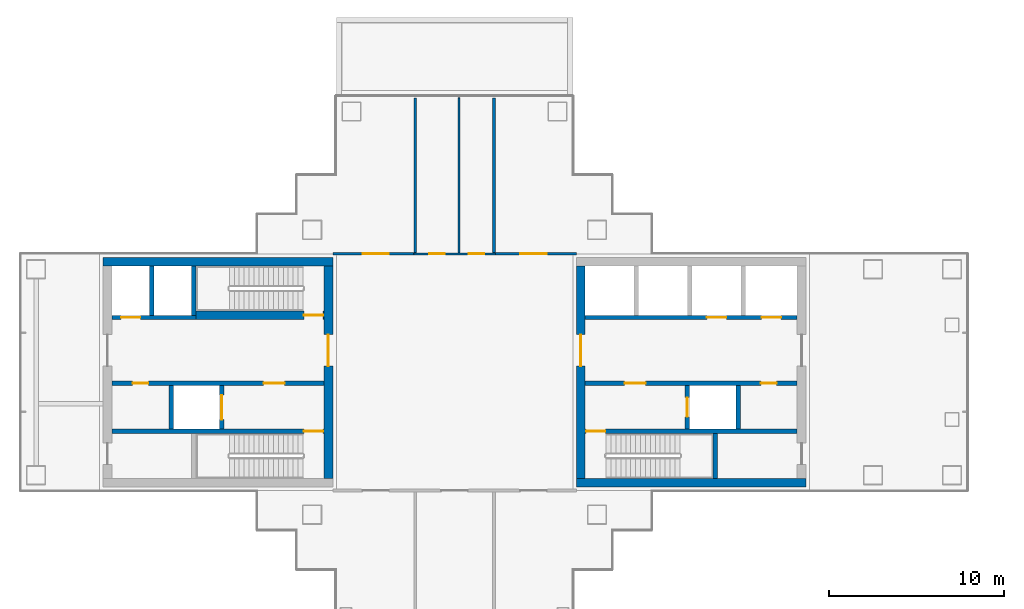
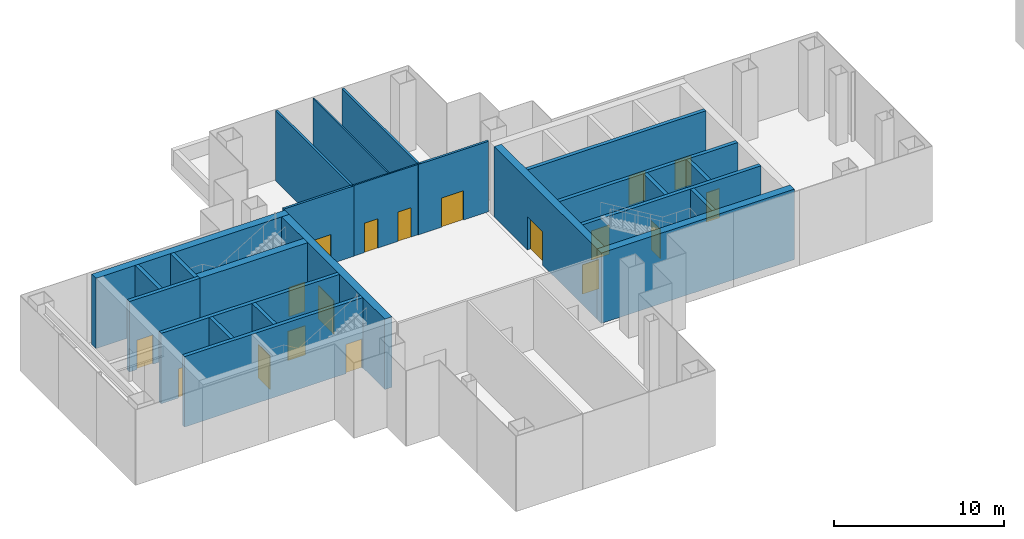
# One storey, part 9 of 15: 24 walls, 18 doors, 18 openings.
"""IFC4 building model written with IfcOpenShell, lengths in metres."""

from ifc_helpers import new_model, si_unit, direction, frame, frame_2d, origin, place, context, subcontext, project, spatial, rectangle, extrude, material, layer, layer_set, type_object, element, fill, save


model = new_model("IFC4")

# Units and contexts
model_context = context("Model", 3, precision=1e-05, world=origin(), true_north=direction((0.0, 1.0)))
body_context = subcontext(model_context, "Body", "Model", "MODEL_VIEW")
ifc_project = project(units=[si_unit("LENGTHUNIT", "METRE"), si_unit("AREAUNIT", "SQUARE_METRE"), si_unit("VOLUMEUNIT", "CUBIC_METRE"), si_unit("PLANEANGLEUNIT", "RADIAN"), si_unit("MASSUNIT", "GRAM", prefix="KILO")], contexts=[model_context])

# Site, building, storey
site_placement = place(None, origin())
site = spatial("IfcSite", under=ifc_project, at=site_placement, CompositionType="ELEMENT")
building_placement = place(site_placement, origin())
building = spatial("IfcBuilding", under=site, at=building_placement, Name="Shamsa Quay Exchange Towers", CompositionType="ELEMENT")
storey_placement = place(building_placement, frame((0.0, 0.0, 133.5)))
storey = spatial("IfcBuildingStorey", under=building, at=storey_placement, Name="L31", CompositionType="ELEMENT", Elevation=133.5)

# Wall
ifc_material_1 = material(Name="Concrete C60/75", Category="concrete")
ifc_layer_1 = layer(ifc_material_1, 0.5)
ifc_layer_set_1 = layer_set([ifc_layer_1], Name="CORE WALL 500 C60/75")
wall_type_1 = type_object("IfcWallType", Name="CORE WALL 500 C60/75", PredefinedType="SHEAR", material=ifc_layer_set_1)
wall_1_placement = place(storey_placement, frame((-26.800048828125, -6.300048828125, 0.0)))
element("IfcWall", 1, at=wall_1_placement, inside=storey, type_object=wall_type_1, Name="Core wall T1A-L31-PS", PredefinedType="SHEAR", context=body_context, shape_type="SweptSolid", body=[
    extrude(rectangle(XDim=13.10009765625, YDim=0.5, at=frame_2d((6.550048828125, 0.0))), origin(), (0.0, 0.0, 1.0), 5.050048828125),
])

# Wall, opening, door
wall_2_placement = place(storey_placement, frame((-26.550048828125, 6.050048828125, 0.0), z_axis=(0.0, 0.0, 1.0), x_axis=(0.0, -1.0, 0.0)))
wall_2 = element("IfcWall", 2, at=wall_2_placement, inside=storey, type_object=wall_type_1, Name="Core wall T1A-L31-PF", PredefinedType="SHEAR", context=body_context, shape_type="SweptSolid", body=[
    extrude(rectangle(XDim=12.10009765625, YDim=0.5, at=frame_2d((6.050048828125, 0.0))), origin(), (0.0, 0.0, 1.0), 5.050048828125),
])
opening_1_placement = place(wall_2_placement, frame((3.89990234375, 0.0, 0.0)))
opening_1 = element("IfcOpeningElement", 3, at=opening_1_placement, cuts=wall_2, Name="Opening T1A-L31-LBD01", PredefinedType="OPENING", context=body_context, shape_type="SweptSolid", body=[
    extrude(rectangle(XDim=1.800048828125, YDim=2.39990234375, at=frame_2d((0.89990234375, 1.199951171875))), frame((0.0, 0.260009765625, 0.0), z_axis=(0.0, -1.0, 0.0), x_axis=(1.0, 0.0, 0.0)), (0.0, 0.0, 1.0), 0.52001953125),
])
ifc_material_2 = material(Name="Steel, fire rated", Category="steel")
door_type_1 = type_object("IfcDoorType", Name="LIFT LOBBY DOOR PAIR 1800", OperationType="DOUBLE_DOOR_SINGLE_SWING", PredefinedType="DOOR", material=ifc_material_2)
door_1_placement = place(opening_1_placement, origin())
door_1 = element("IfcDoor", 4, at=door_1_placement, inside=storey, type_object=door_type_1, Name="T1A-L31-LBD01", OperationType="DOUBLE_DOOR_SINGLE_SWING", OverallHeight=2.39990234375, OverallWidth=1.800048828125, PredefinedType="DOOR", context=body_context, shape_type="SweptSolid", body=[
    extrude(rectangle(XDim=1.800048828125, YDim=2.39990234375, at=frame_2d((0.89990234375, 1.199951171875))), frame((0.0, 0.02490234375, 0.0), z_axis=(0.0, -1.0, 0.0), x_axis=(1.0, 0.0, 0.0)), (0.0, 0.0, 1.0), 0.050048828125),
])
fill(opening_1, door_1)

# Wall
wall_3_placement = place(storey_placement, frame((-40.699951171875, 6.300048828125, 0.0), z_axis=(0.0, 0.0, 1.0), x_axis=(-1.0, 0.0, 0.0)))
element("IfcWall", 5, at=wall_3_placement, inside=storey, type_object=wall_type_1, Name="Core wall T1B-L31-PN", PredefinedType="SHEAR", context=body_context, shape_type="SweptSolid", body=[
    extrude(rectangle(XDim=13.10009765625, YDim=0.5, at=frame_2d((6.550048828125, 0.0))), origin(), (0.0, 0.0, 1.0), 5.050048828125),
])

# Wall, opening, door
wall_4_placement = place(storey_placement, frame((-40.949951171875, -6.050048828125, 0.0), z_axis=(0.0, 0.0, 1.0), x_axis=(0.0, 1.0, 0.0)))
wall_4 = element("IfcWall", 6, at=wall_4_placement, inside=storey, type_object=wall_type_1, Name="Core wall T1B-L31-PF", PredefinedType="SHEAR", context=body_context, shape_type="SweptSolid", body=[
    extrude(rectangle(XDim=12.10009765625, YDim=0.5, at=frame_2d((6.050048828125, 0.0))), origin(), (0.0, 0.0, 1.0), 5.050048828125),
])
opening_2_placement = place(wall_4_placement, frame((6.39990234375, 0.0, 0.0)))
opening_2 = element("IfcOpeningElement", 7, at=opening_2_placement, cuts=wall_4, Name="Opening T1B-L31-LBD01", PredefinedType="OPENING", context=body_context, shape_type="SweptSolid", body=[
    extrude(rectangle(XDim=1.800048828125, YDim=2.39990234375, at=frame_2d((0.89990234375, 1.199951171875))), frame((0.0, 0.260009765625, 0.0), z_axis=(0.0, -1.0, 0.0), x_axis=(1.0, 0.0, 0.0)), (0.0, 0.0, 1.0), 0.52001953125),
])
door_2_placement = place(opening_2_placement, origin())
door_2 = element("IfcDoor", 8, at=door_2_placement, inside=storey, type_object=door_type_1, Name="T1B-L31-LBD01", OperationType="DOUBLE_DOOR_SINGLE_SWING", OverallHeight=2.39990234375, OverallWidth=1.800048828125, PredefinedType="DOOR", context=body_context, shape_type="SweptSolid", body=[
    extrude(rectangle(XDim=1.800048828125, YDim=2.39990234375, at=frame_2d((0.89990234375, 1.199951171875))), frame((0.0, 0.02490234375, 0.0), z_axis=(0.0, -1.0, 0.0), x_axis=(1.0, 0.0, 0.0)), (0.0, 0.0, 1.0), 0.050048828125),
])
fill(opening_2, door_2)

# Wall, openings, doors
ifc_material_3 = material(Name="Gypsum board partition on metal studs")
ifc_layer_2 = layer(ifc_material_3, 0.10009765625)
ifc_layer_set_2 = layer_set([ifc_layer_2], Name="Partition 100 mm NOT RATED")
wall_type_2 = type_object("IfcWallType", Name="Partition 100 mm NOT RATED", PredefinedType="PARTITIONING", material=ifc_layer_set_2)
wall_5_placement = place(storey_placement, frame((-36.074951171875, 6.75, 0.0)))
wall_5 = element("IfcWall", 9, at=wall_5_placement, inside=storey, type_object=wall_type_2, Name="Partition T1-L31-W03", PredefinedType="PARTITIONING", context=body_context, shape_type="SweptSolid", body=[
    extrude(rectangle(XDim=4.64990234375, YDim=0.10009765625, at=frame_2d((2.324951171875, 0.0))), origin(), (0.0, 0.0, 1.0), 5.050048828125),
])
opening_3_placement = place(wall_5_placement, frame((0.875, 0.0, 0.0)))
opening_3 = element("IfcOpeningElement", 10, at=opening_3_placement, cuts=wall_5, Name="Opening T1-L31-D02", PredefinedType="OPENING", context=body_context, shape_type="SweptSolid", body=[
    extrude(rectangle(XDim=0.89990234375, YDim=2.10009765625, at=frame_2d((0.449951171875, 1.050048828125))), frame((0.0, 0.06005859375, 0.0), z_axis=(0.0, -1.0, 0.0), x_axis=(1.0, 0.0, 0.0)), (0.0, 0.0, 1.0), 0.1201171875),
])
opening_4_placement = place(wall_5_placement, frame((3.125, 0.0, 0.0)))
opening_4 = element("IfcOpeningElement", 11, at=opening_4_placement, cuts=wall_5, Name="Opening T1-L31-D03", PredefinedType="OPENING", context=body_context, shape_type="SweptSolid", body=[
    extrude(rectangle(XDim=0.89990234375, YDim=2.10009765625, at=frame_2d((0.449951171875, 1.050048828125))), frame((0.0, 0.06005859375, 0.0), z_axis=(0.0, -1.0, 0.0), x_axis=(1.0, 0.0, 0.0)), (0.0, 0.0, 1.0), 0.1201171875),
])
ifc_material_4 = material(Name="Timber door leaf in a metal frame", Category="wood")
door_type_2 = type_object("IfcDoorType", Name="Door 900x2100 NOT RATED", OperationType="NOTDEFINED", PredefinedType="DOOR", material=ifc_material_4)
door_3_placement = place(opening_3_placement, origin())
door_3 = element("IfcDoor", 12, at=door_3_placement, inside=storey, type_object=door_type_2, Name="Door T1-L31-D02", OperationType="SINGLE_SWING_RIGHT", OverallHeight=2.10009765625, OverallWidth=0.89990234375, PredefinedType="DOOR", context=body_context, shape_type="SweptSolid", body=[
    extrude(rectangle(XDim=0.89990234375, YDim=2.10009765625, at=frame_2d((0.449951171875, 1.050048828125))), frame((0.0, 0.02490234375, 0.0), z_axis=(0.0, -1.0, 0.0), x_axis=(1.0, 0.0, 0.0)), (0.0, 0.0, 1.0), 0.050048828125),
])
fill(opening_3, door_3)
door_4_placement = place(opening_4_placement, origin())
door_4 = element("IfcDoor", 13, at=door_4_placement, inside=storey, type_object=door_type_2, Name="Door T1-L31-D03", OperationType="SINGLE_SWING_LEFT", OverallHeight=2.10009765625, OverallWidth=0.89990234375, PredefinedType="DOOR", context=body_context, shape_type="SweptSolid", body=[
    extrude(rectangle(XDim=0.89990234375, YDim=2.10009765625, at=frame_2d((0.449951171875, 1.050048828125))), frame((0.0, 0.02490234375, 0.0), z_axis=(0.0, -1.0, 0.0), x_axis=(1.0, 0.0, 0.0)), (0.0, 0.0, 1.0), 0.050048828125),
])
fill(opening_4, door_4)

# Wall
wall_6_placement = place(storey_placement, frame((-33.5, 6.800048828125, 0.0), z_axis=(0.0, 0.0, 1.0), x_axis=(0.0, 1.0, 0.0)))
element("IfcWall", 14, at=wall_6_placement, inside=storey, type_object=wall_type_2, Name="Partition T1-L31-W07", PredefinedType="PARTITIONING", context=body_context, shape_type="SweptSolid", body=[
    extrude(rectangle(XDim=8.85498046875, YDim=0.10009765625, at=frame_2d((4.427490234375, 0.0))), origin(), (0.0, 0.0, 1.0), 5.050048828125),
])

# Wall, opening, door
ifc_layer_3 = layer(ifc_material_3, 0.14990234375)
ifc_layer_set_3 = layer_set([ifc_layer_3], Name="Partition 150 mm EI 60")
wall_type_3 = type_object("IfcWallType", Name="Partition 150 mm EI 60", PredefinedType="PARTITIONING", material=ifc_layer_set_3)
wall_7_placement = place(storey_placement, frame((-40.699951171875, 6.75, 0.0)))
wall_7 = element("IfcWall", 15, at=wall_7_placement, inside=storey, type_object=wall_type_3, Name="Partition T1-L31-W01", PredefinedType="PARTITIONING", context=body_context, shape_type="SweptSolid", body=[
    extrude(rectangle(XDim=4.77490234375, YDim=0.14990234375, at=frame_2d((2.387451171875, 0.0))), origin(), (0.0, 0.0, 1.0), 5.050048828125),
])
opening_5_placement = place(wall_7_placement, frame((1.699951171875, 0.0, 0.0)))
opening_5 = element("IfcOpeningElement", 16, at=opening_5_placement, cuts=wall_7, Name="Opening T1-L31-D01", PredefinedType="OPENING", context=body_context, shape_type="SweptSolid", body=[
    extrude(rectangle(XDim=1.5, YDim=2.10009765625, at=frame_2d((0.75, 1.050048828125))), frame((0.0, 0.0849609375, 0.0), z_axis=(0.0, -1.0, 0.0), x_axis=(1.0, 0.0, 0.0)), (0.0, 0.0, 1.0), 0.169921875),
])
door_type_3 = type_object("IfcDoorType", Name="Door 1500x2100 FD30S pair", OperationType="NOTDEFINED", PredefinedType="DOOR", material=ifc_material_4)
door_5_placement = place(opening_5_placement, origin())
door_5 = element("IfcDoor", 17, at=door_5_placement, inside=storey, type_object=door_type_3, Name="Door T1-L31-D01", OperationType="DOUBLE_DOOR_SINGLE_SWING", OverallHeight=2.10009765625, OverallWidth=1.5, PredefinedType="DOOR", context=body_context, shape_type="SweptSolid", body=[
    extrude(rectangle(XDim=1.5, YDim=2.10009765625, at=frame_2d((0.75, 1.050048828125))), frame((0.0, 0.02490234375, 0.0), z_axis=(0.0, -1.0, 0.0), x_axis=(1.0, 0.0, 0.0)), (0.0, 0.0, 1.0), 0.050048828125),
])
fill(opening_5, door_5)

wall_8_placement = place(storey_placement, frame((-31.574951171875, 6.75, 0.0)))
wall_8 = element("IfcWall", 18, at=wall_8_placement, inside=storey, type_object=wall_type_3, Name="Partition T1-L31-W02", PredefinedType="PARTITIONING", context=body_context, shape_type="SweptSolid", body=[
    extrude(rectangle(XDim=4.77490234375, YDim=0.14990234375, at=frame_2d((2.387451171875, 0.0))), origin(), (0.0, 0.0, 1.0), 5.050048828125),
])
opening_6_placement = place(wall_8_placement, frame((1.574951171875, 0.0, 0.0)))
opening_6 = element("IfcOpeningElement", 19, at=opening_6_placement, cuts=wall_8, Name="Opening T1-L31-D04", PredefinedType="OPENING", context=body_context, shape_type="SweptSolid", body=[
    extrude(rectangle(XDim=1.5, YDim=2.10009765625, at=frame_2d((0.75, 1.050048828125))), frame((0.0, 0.0849609375, 0.0), z_axis=(0.0, -1.0, 0.0), x_axis=(1.0, 0.0, 0.0)), (0.0, 0.0, 1.0), 0.169921875),
])
door_6_placement = place(opening_6_placement, origin())
door_6 = element("IfcDoor", 20, at=door_6_placement, inside=storey, type_object=door_type_3, Name="Door T1-L31-D04", OperationType="DOUBLE_DOOR_SINGLE_SWING", OverallHeight=2.10009765625, OverallWidth=1.5, PredefinedType="DOOR", context=body_context, shape_type="SweptSolid", body=[
    extrude(rectangle(XDim=1.5, YDim=2.10009765625, at=frame_2d((0.75, 1.050048828125))), frame((0.0, 0.02490234375, 0.0), z_axis=(0.0, -1.0, 0.0), x_axis=(1.0, 0.0, 0.0)), (0.0, 0.0, 1.0), 0.050048828125),
])
fill(opening_6, door_6)

# Walls
for number, where, z_axis, x_axis, name in (
    (21, (-36.0, 6.824951171875, 0.0), (0.0, 0.0, 1.0), (0.0, 1.0, 0.0), "Partition T1-L31-W06"),
    (22, (-31.5, 6.824951171875, 0.0), (0.0, 0.0, 1.0), (0.0, 1.0, 0.0), "Partition T1-L31-W09"),
):
    element("IfcWall", number, at=place(storey_placement, frame(where, z_axis=z_axis, x_axis=x_axis)), inside=storey, type_object=wall_type_3, Name=name, PredefinedType="PARTITIONING", context=body_context, shape_type="SweptSolid", body=[
        extrude(rectangle(XDim=8.830078125, YDim=0.14990234375, at=frame_2d((4.4150390625, 0.0))), origin(), (0.0, 0.0, 1.0), 5.050048828125),
    ])

# Wall, opening, door
ifc_material_5 = material(Name="Concrete C50/60", Category="concrete")
ifc_layer_4 = layer(ifc_material_5, 0.25)
ifc_layer_set_4 = layer_set([ifc_layer_4], Name="SHAFT WALL 250 C50/60")
wall_type_4 = type_object("IfcWallType", Name="SHAFT WALL 250 C50/60", PredefinedType="SHEAR", material=ifc_layer_set_4)
wall_9_placement = place(storey_placement, frame((-14.199951171875, -3.375, 0.0), z_axis=(0.0, 0.0, 1.0), x_axis=(-1.0, 0.0, 0.0)))
wall_9 = element("IfcWall", 23, at=wall_9_placement, inside=storey, type_object=wall_type_4, Name="Shaft wall T1A-L31-STL", PredefinedType="SHEAR", context=body_context, shape_type="SweptSolid", body=[
    extrude(rectangle(XDim=12.10009765625, YDim=0.25, at=frame_2d((6.050048828125, 0.0))), origin(), (0.0, 0.0, 1.0), 5.050048828125),
])
opening_7_placement = place(wall_9_placement, frame((10.949951171875, 0.0, 0.0)))
opening_7 = element("IfcOpeningElement", 24, at=opening_7_placement, cuts=wall_9, Name="Opening T1A-L31-SD04", PredefinedType="OPENING", context=body_context, shape_type="SweptSolid", body=[
    extrude(rectangle(XDim=1.10009765625, YDim=2.10009765625, at=frame_2d((0.550048828125, 1.050048828125))), frame((0.0, 0.135009765625, 0.0), z_axis=(0.0, -1.0, 0.0), x_axis=(1.0, 0.0, 0.0)), (0.0, 0.0, 1.0), 0.27001953125),
])
door_type_4 = type_object("IfcDoorType", Name="STAIR DOOR 1100", OperationType="SINGLE_SWING_LEFT", PredefinedType="DOOR", material=ifc_material_2)
door_7_placement = place(opening_7_placement, origin())
door_7 = element("IfcDoor", 25, at=door_7_placement, inside=storey, type_object=door_type_4, Name="T1A-L31-SD04", OperationType="SINGLE_SWING_RIGHT", OverallHeight=2.10009765625, OverallWidth=1.10009765625, PredefinedType="DOOR", context=body_context, shape_type="SweptSolid", body=[
    extrude(rectangle(XDim=1.10009765625, YDim=2.10009765625, at=frame_2d((0.550048828125, 1.050048828125))), frame((0.0, 0.02490234375, 0.0), z_axis=(0.0, -1.0, 0.0), x_axis=(1.0, 0.0, 0.0)), (0.0, 0.0, 1.0), 0.050048828125),
])
fill(opening_7, door_7)

# Wall
wall_10_placement = place(storey_placement, frame((-18.875, -6.050048828125, 0.0), z_axis=(0.0, 0.0, 1.0), x_axis=(0.0, 1.0, 0.0)))
element("IfcWall", 26, at=wall_10_placement, inside=storey, type_object=wall_type_4, Name="Shaft wall T1A-L31-STF", PredefinedType="SHEAR", context=body_context, shape_type="SweptSolid", body=[
    extrude(rectangle(XDim=2.550048828125, YDim=0.25, at=frame_2d((1.27490234375, 0.0))), origin(), (0.0, 0.0, 1.0), 5.050048828125),
])

# Wall, openings, doors
wall_11_placement = place(storey_placement, frame((-14.199951171875, -0.625, 0.0), z_axis=(0.0, 0.0, 1.0), x_axis=(-1.0, 0.0, 0.0)))
wall_11 = element("IfcWall", 27, at=wall_11_placement, inside=storey, type_object=wall_type_4, Name="Shaft wall T1A-L31-B", PredefinedType="SHEAR", context=body_context, shape_type="SweptSolid", body=[
    extrude(rectangle(XDim=12.10009765625, YDim=0.25, at=frame_2d((6.050048828125, 0.0))), origin(), (0.0, 0.0, 1.0), 5.050048828125),
])
opening_8_placement = place(wall_11_placement, frame((8.64990234375, 0.0, 0.0)))
opening_8 = element("IfcOpeningElement", 28, at=opening_8_placement, cuts=wall_11, Name="Opening T1A-L31-FD05", PredefinedType="OPENING", context=body_context, shape_type="SweptSolid", body=[
    extrude(rectangle(XDim=1.199951171875, YDim=2.10009765625, at=frame_2d((0.60009765625, 1.050048828125))), frame((0.0, 0.135009765625, 0.0), z_axis=(0.0, -1.0, 0.0), x_axis=(1.0, 0.0, 0.0)), (0.0, 0.0, 1.0), 0.27001953125),
])
opening_9_placement = place(wall_11_placement, frame((1.175048828125, 0.0, 0.0)))
opening_9 = element("IfcOpeningElement", 29, at=opening_9_placement, cuts=wall_11, Name="Opening T1A-L31-SV06", PredefinedType="OPENING", context=body_context, shape_type="SweptSolid", body=[
    extrude(rectangle(XDim=0.89990234375, YDim=2.10009765625, at=frame_2d((0.449951171875, 1.050048828125))), frame((0.0, 0.135009765625, 0.0), z_axis=(0.0, -1.0, 0.0), x_axis=(1.0, 0.0, 0.0)), (0.0, 0.0, 1.0), 0.27001953125),
])
door_type_5 = type_object("IfcDoorType", Name="FIRE SERVICE LOBBY DOOR 1200", OperationType="SINGLE_SWING_LEFT", PredefinedType="DOOR", material=ifc_material_2)
door_8_placement = place(opening_8_placement, origin())
door_8 = element("IfcDoor", 30, at=door_8_placement, inside=storey, type_object=door_type_5, Name="T1A-L31-FD05", OperationType="SINGLE_SWING_RIGHT", OverallHeight=2.10009765625, OverallWidth=1.199951171875, PredefinedType="DOOR", context=body_context, shape_type="SweptSolid", body=[
    extrude(rectangle(XDim=1.199951171875, YDim=2.10009765625, at=frame_2d((0.60009765625, 1.050048828125))), frame((0.0, 0.02490234375, 0.0), z_axis=(0.0, -1.0, 0.0), x_axis=(1.0, 0.0, 0.0)), (0.0, 0.0, 1.0), 0.050048828125),
])
fill(opening_8, door_8)
door_type_6 = type_object("IfcDoorType", Name="SERVICE ROOM DOOR 900", OperationType="SINGLE_SWING_LEFT", PredefinedType="DOOR", material=ifc_material_2)
door_9_placement = place(opening_9_placement, origin())
door_9 = element("IfcDoor", 31, at=door_9_placement, inside=storey, type_object=door_type_6, Name="T1A-L31-SV06", OperationType="SINGLE_SWING_LEFT", OverallHeight=2.10009765625, OverallWidth=0.89990234375, PredefinedType="DOOR", context=body_context, shape_type="SweptSolid", body=[
    extrude(rectangle(XDim=0.89990234375, YDim=2.10009765625, at=frame_2d((0.449951171875, 1.050048828125))), frame((0.0, 0.02490234375, 0.0), z_axis=(0.0, -1.0, 0.0), x_axis=(1.0, 0.0, 0.0)), (0.0, 0.0, 1.0), 0.050048828125),
])
fill(opening_9, door_9)

# Wall, opening, door
wall_12_placement = place(storey_placement, frame((-20.47509765625, -3.25, 0.0), z_axis=(0.0, 0.0, 1.0), x_axis=(0.0, 1.0, 0.0)))
wall_12 = element("IfcWall", 32, at=wall_12_placement, inside=storey, type_object=wall_type_4, Name="Shaft wall T1A-L31-FFF", PredefinedType="SHEAR", context=body_context, shape_type="SweptSolid", body=[
    extrude(rectangle(XDim=2.5, YDim=0.25, at=frame_2d((1.25, 0.0))), origin(), (0.0, 0.0, 1.0), 5.050048828125),
])
opening_10_placement = place(wall_12_placement, frame((0.699951171875, 0.0, 0.0)))
opening_10 = element("IfcOpeningElement", 33, at=opening_10_placement, cuts=wall_12, Name="Opening T1A-L31-LDF07", PredefinedType="OPENING", context=body_context, shape_type="SweptSolid", body=[
    extrude(rectangle(XDim=1.10009765625, YDim=2.10009765625, at=frame_2d((0.550048828125, 1.050048828125))), frame((0.0, 0.135009765625, 0.0), z_axis=(0.0, -1.0, 0.0), x_axis=(1.0, 0.0, 0.0)), (0.0, 0.0, 1.0), 0.27001953125),
])
door_type_7 = type_object("IfcDoorType", Name="FIRE SERVICE LANDING DOOR 1100", OperationType="SLIDING_TO_LEFT", PredefinedType="DOOR", material=ifc_material_2)
door_10_placement = place(opening_10_placement, origin())
door_10 = element("IfcDoor", 34, at=door_10_placement, inside=storey, type_object=door_type_7, Name="T1A-L31-LDF07", OperationType="SLIDING_TO_LEFT", OverallHeight=2.10009765625, OverallWidth=1.10009765625, PredefinedType="DOOR", context=body_context, shape_type="SweptSolid", body=[
    extrude(rectangle(XDim=1.10009765625, YDim=2.10009765625, at=frame_2d((0.550048828125, 1.050048828125))), frame((0.0, 0.02490234375, 0.0), z_axis=(0.0, -1.0, 0.0), x_axis=(1.0, 0.0, 0.0)), (0.0, 0.0, 1.0), 0.050048828125),
])
fill(opening_10, door_10)

# Wall
wall_13_placement = place(storey_placement, frame((-17.574951171875, -3.25, 0.0), z_axis=(0.0, 0.0, 1.0), x_axis=(0.0, 1.0, 0.0)))
element("IfcWall", 35, at=wall_13_placement, inside=storey, type_object=wall_type_4, Name="Shaft wall T1A-L31-FFB", PredefinedType="SHEAR", context=body_context, shape_type="SweptSolid", body=[
    extrude(rectangle(XDim=2.5, YDim=0.25, at=frame_2d((1.25, 0.0))), origin(), (0.0, 0.0, 1.0), 5.050048828125),
])

# Wall, openings, doors
wall_14_placement = place(storey_placement, frame((-26.300048828125, 3.125, 0.0)))
wall_14 = element("IfcWall", 36, at=wall_14_placement, inside=storey, type_object=wall_type_4, Name="Shaft wall T1A-L31-N", PredefinedType="SHEAR", context=body_context, shape_type="SweptSolid", body=[
    extrude(rectangle(XDim=12.10009765625, YDim=0.25, at=frame_2d((6.050048828125, 0.0))), origin(), (0.0, 0.0, 1.0), 5.050048828125),
])
opening_11_placement = place(wall_14_placement, frame((6.949951171875, 0.0, 0.0)))
opening_11 = element("IfcOpeningElement", 37, at=opening_11_placement, cuts=wall_14, Name="Opening T1A-L31-LD08", PredefinedType="OPENING", context=body_context, shape_type="SweptSolid", body=[
    extrude(rectangle(XDim=1.10009765625, YDim=2.10009765625, at=frame_2d((0.550048828125, 1.050048828125))), frame((0.0, 0.135009765625, 0.0), z_axis=(0.0, -1.0, 0.0), x_axis=(1.0, 0.0, 0.0)), (0.0, 0.0, 1.0), 0.27001953125),
])
opening_12_placement = place(wall_14_placement, frame((10.074951171875, 0.0, 0.0)))
opening_12 = element("IfcOpeningElement", 38, at=opening_12_placement, cuts=wall_14, Name="Opening T1A-L31-LD09", PredefinedType="OPENING", context=body_context, shape_type="SweptSolid", body=[
    extrude(rectangle(XDim=1.10009765625, YDim=2.10009765625, at=frame_2d((0.550048828125, 1.050048828125))), frame((0.0, 0.135009765625, 0.0), z_axis=(0.0, -1.0, 0.0), x_axis=(1.0, 0.0, 0.0)), (0.0, 0.0, 1.0), 0.27001953125),
])
door_type_8 = type_object("IfcDoorType", Name="LANDING DOOR 1100", OperationType="SLIDING_TO_LEFT", PredefinedType="DOOR", material=ifc_material_2)
door_11_placement = place(opening_11_placement, origin())
door_11 = element("IfcDoor", 39, at=door_11_placement, inside=storey, type_object=door_type_8, Name="T1A-L31-LD08", OperationType="SLIDING_TO_LEFT", OverallHeight=2.10009765625, OverallWidth=1.10009765625, PredefinedType="DOOR", context=body_context, shape_type="SweptSolid", body=[
    extrude(rectangle(XDim=1.10009765625, YDim=2.10009765625, at=frame_2d((0.550048828125, 1.050048828125))), frame((0.0, 0.02490234375, 0.0), z_axis=(0.0, -1.0, 0.0), x_axis=(1.0, 0.0, 0.0)), (0.0, 0.0, 1.0), 0.050048828125),
])
fill(opening_11, door_11)
door_12_placement = place(opening_12_placement, origin())
door_12 = element("IfcDoor", 40, at=door_12_placement, inside=storey, type_object=door_type_8, Name="T1A-L31-LD09", OperationType="SLIDING_TO_LEFT", OverallHeight=2.10009765625, OverallWidth=1.10009765625, PredefinedType="DOOR", context=body_context, shape_type="SweptSolid", body=[
    extrude(rectangle(XDim=1.10009765625, YDim=2.10009765625, at=frame_2d((0.550048828125, 1.050048828125))), frame((0.0, 0.02490234375, 0.0), z_axis=(0.0, -1.0, 0.0), x_axis=(1.0, 0.0, 0.0)), (0.0, 0.0, 1.0), 0.050048828125),
])
fill(opening_12, door_12)

# Wall, opening, door
wall_15_placement = place(storey_placement, frame((-41.199951171875, -3.375, 0.0), z_axis=(0.0, 0.0, 1.0), x_axis=(-1.0, 0.0, 0.0)))
wall_15 = element("IfcWall", 41, at=wall_15_placement, inside=storey, type_object=wall_type_4, Name="Shaft wall T1B-L31-STL", PredefinedType="SHEAR", context=body_context, shape_type="SweptSolid", body=[
    extrude(rectangle(XDim=12.10009765625, YDim=0.25, at=frame_2d((6.050048828125, 0.0))), origin(), (0.0, 0.0, 1.0), 5.050048828125),
])
opening_13_placement = place(wall_15_placement, frame((0.050048828125, 0.0, 0.0)))
opening_13 = element("IfcOpeningElement", 42, at=opening_13_placement, cuts=wall_15, Name="Opening T1B-L31-SD04", PredefinedType="OPENING", context=body_context, shape_type="SweptSolid", body=[
    extrude(rectangle(XDim=1.10009765625, YDim=2.10009765625, at=frame_2d((0.550048828125, 1.050048828125))), frame((0.0, 0.135009765625, 0.0), z_axis=(0.0, -1.0, 0.0), x_axis=(1.0, 0.0, 0.0)), (0.0, 0.0, 1.0), 0.27001953125),
])
door_13_placement = place(opening_13_placement, origin())
door_13 = element("IfcDoor", 43, at=door_13_placement, inside=storey, type_object=door_type_4, Name="T1B-L31-SD04", OperationType="SINGLE_SWING_LEFT", OverallHeight=2.10009765625, OverallWidth=1.10009765625, PredefinedType="DOOR", context=body_context, shape_type="SweptSolid", body=[
    extrude(rectangle(XDim=1.10009765625, YDim=2.10009765625, at=frame_2d((0.550048828125, 1.050048828125))), frame((0.0, 0.02490234375, 0.0), z_axis=(0.0, -1.0, 0.0), x_axis=(1.0, 0.0, 0.0)), (0.0, 0.0, 1.0), 0.050048828125),
])
fill(opening_13, door_13)

# Wall, openings, doors
wall_16_placement = place(storey_placement, frame((-41.199951171875, -0.625, 0.0), z_axis=(0.0, 0.0, 1.0), x_axis=(-1.0, 0.0, 0.0)))
wall_16 = element("IfcWall", 44, at=wall_16_placement, inside=storey, type_object=wall_type_4, Name="Shaft wall T1B-L31-B", PredefinedType="SHEAR", context=body_context, shape_type="SweptSolid", body=[
    extrude(rectangle(XDim=12.10009765625, YDim=0.25, at=frame_2d((6.050048828125, 0.0))), origin(), (0.0, 0.0, 1.0), 5.050048828125),
])
opening_14_placement = place(wall_16_placement, frame((2.25, 0.0, 0.0)))
opening_14 = element("IfcOpeningElement", 45, at=opening_14_placement, cuts=wall_16, Name="Opening T1B-L31-FD05", PredefinedType="OPENING", context=body_context, shape_type="SweptSolid", body=[
    extrude(rectangle(XDim=1.199951171875, YDim=2.10009765625, at=frame_2d((0.60009765625, 1.050048828125))), frame((0.0, 0.135009765625, 0.0), z_axis=(0.0, -1.0, 0.0), x_axis=(1.0, 0.0, 0.0)), (0.0, 0.0, 1.0), 0.27001953125),
])
opening_15_placement = place(wall_16_placement, frame((10.02490234375, 0.0, 0.0)))
opening_15 = element("IfcOpeningElement", 46, at=opening_15_placement, cuts=wall_16, Name="Opening T1B-L31-SV06", PredefinedType="OPENING", context=body_context, shape_type="SweptSolid", body=[
    extrude(rectangle(XDim=0.89990234375, YDim=2.10009765625, at=frame_2d((0.449951171875, 1.050048828125))), frame((0.0, 0.135009765625, 0.0), z_axis=(0.0, -1.0, 0.0), x_axis=(1.0, 0.0, 0.0)), (0.0, 0.0, 1.0), 0.27001953125),
])
door_14_placement = place(opening_14_placement, origin())
door_14 = element("IfcDoor", 47, at=door_14_placement, inside=storey, type_object=door_type_5, Name="T1B-L31-FD05", OperationType="SINGLE_SWING_LEFT", OverallHeight=2.10009765625, OverallWidth=1.199951171875, PredefinedType="DOOR", context=body_context, shape_type="SweptSolid", body=[
    extrude(rectangle(XDim=1.199951171875, YDim=2.10009765625, at=frame_2d((0.60009765625, 1.050048828125))), frame((0.0, 0.02490234375, 0.0), z_axis=(0.0, -1.0, 0.0), x_axis=(1.0, 0.0, 0.0)), (0.0, 0.0, 1.0), 0.050048828125),
])
fill(opening_14, door_14)
door_15_placement = place(opening_15_placement, origin())
door_15 = element("IfcDoor", 48, at=door_15_placement, inside=storey, type_object=door_type_6, Name="T1B-L31-SV06", OperationType="SINGLE_SWING_RIGHT", OverallHeight=2.10009765625, OverallWidth=0.89990234375, PredefinedType="DOOR", context=body_context, shape_type="SweptSolid", body=[
    extrude(rectangle(XDim=0.89990234375, YDim=2.10009765625, at=frame_2d((0.449951171875, 1.050048828125))), frame((0.0, 0.02490234375, 0.0), z_axis=(0.0, -1.0, 0.0), x_axis=(1.0, 0.0, 0.0)), (0.0, 0.0, 1.0), 0.050048828125),
])
fill(opening_15, door_15)

# Wall, opening, door
wall_17_placement = place(storey_placement, frame((-47.02490234375, -3.25, 0.0), z_axis=(0.0, 0.0, 1.0), x_axis=(0.0, 1.0, 0.0)))
wall_17 = element("IfcWall", 49, at=wall_17_placement, inside=storey, type_object=wall_type_4, Name="Shaft wall T1B-L31-FFF", PredefinedType="SHEAR", context=body_context, shape_type="SweptSolid", body=[
    extrude(rectangle(XDim=2.5, YDim=0.25, at=frame_2d((1.25, 0.0))), origin(), (0.0, 0.0, 1.0), 5.050048828125),
])
opening_16_placement = place(wall_17_placement, frame((0.550048828125, 0.0, 0.0)))
opening_16 = element("IfcOpeningElement", 50, at=opening_16_placement, cuts=wall_17, Name="Opening T1B-L31-LDG07", PredefinedType="OPENING", context=body_context, shape_type="SweptSolid", body=[
    extrude(rectangle(XDim=1.39990234375, YDim=2.39990234375, at=frame_2d((0.699951171875, 1.199951171875))), frame((0.0, 0.135009765625, 0.0), z_axis=(0.0, -1.0, 0.0), x_axis=(1.0, 0.0, 0.0)), (0.0, 0.0, 1.0), 0.27001953125),
])
door_type_9 = type_object("IfcDoorType", Name="GOODS LIFT LANDING DOOR 1400", OperationType="SLIDING_TO_LEFT", PredefinedType="DOOR", material=ifc_material_2)
door_16_placement = place(opening_16_placement, origin())
door_16 = element("IfcDoor", 51, at=door_16_placement, inside=storey, type_object=door_type_9, Name="T1B-L31-LDG07", OperationType="SLIDING_TO_LEFT", OverallHeight=2.39990234375, OverallWidth=1.39990234375, PredefinedType="DOOR", context=body_context, shape_type="SweptSolid", body=[
    extrude(rectangle(XDim=1.39990234375, YDim=2.39990234375, at=frame_2d((0.699951171875, 1.199951171875))), frame((0.0, 0.02490234375, 0.0), z_axis=(0.0, -1.0, 0.0), x_axis=(1.0, 0.0, 0.0)), (0.0, 0.0, 1.0), 0.050048828125),
])
fill(opening_16, door_16)

# Wall
wall_18_placement = place(storey_placement, frame((-49.925048828125, -3.25, 0.0), z_axis=(0.0, 0.0, 1.0), x_axis=(0.0, 1.0, 0.0)))
element("IfcWall", 52, at=wall_18_placement, inside=storey, type_object=wall_type_4, Name="Shaft wall T1B-L31-FFB", PredefinedType="SHEAR", context=body_context, shape_type="SweptSolid", body=[
    extrude(rectangle(XDim=2.5, YDim=0.25, at=frame_2d((1.25, 0.0))), origin(), (0.0, 0.0, 1.0), 5.050048828125),
])

# Wall, opening, door
wall_19_placement = place(storey_placement, frame((-48.5, 3.125, 0.0), z_axis=(0.0, 0.0, 1.0), x_axis=(-1.0, 0.0, 0.0)))
wall_19 = element("IfcWall", 53, at=wall_19_placement, inside=storey, type_object=wall_type_4, Name="Shaft wall T1B-L31-N2", PredefinedType="SHEAR", context=body_context, shape_type="SweptSolid", body=[
    extrude(rectangle(XDim=4.800048828125, YDim=0.25, at=frame_2d((2.39990234375, 0.0))), origin(), (0.0, 0.0, 1.0), 5.050048828125),
])
opening_17_placement = place(wall_19_placement, frame((3.175048828125, 0.0, 0.0)))
opening_17 = element("IfcOpeningElement", 54, at=opening_17_placement, cuts=wall_19, Name="Opening T1B-L31-LD09", PredefinedType="OPENING", context=body_context, shape_type="SweptSolid", body=[
    extrude(rectangle(XDim=1.10009765625, YDim=2.10009765625, at=frame_2d((0.550048828125, 1.050048828125))), frame((0.0, 0.135009765625, 0.0), z_axis=(0.0, -1.0, 0.0), x_axis=(1.0, 0.0, 0.0)), (0.0, 0.0, 1.0), 0.27001953125),
])
door_17_placement = place(opening_17_placement, origin())
door_17 = element("IfcDoor", 55, at=door_17_placement, inside=storey, type_object=door_type_8, Name="T1B-L31-LD09", OperationType="SLIDING_TO_LEFT", OverallHeight=2.10009765625, OverallWidth=1.10009765625, PredefinedType="DOOR", context=body_context, shape_type="SweptSolid", body=[
    extrude(rectangle(XDim=1.10009765625, YDim=2.10009765625, at=frame_2d((0.550048828125, 1.050048828125))), frame((0.0, 0.02490234375, 0.0), z_axis=(0.0, -1.0, 0.0), x_axis=(1.0, 0.0, 0.0)), (0.0, 0.0, 1.0), 0.050048828125),
])
fill(opening_17, door_17)

# Walls
for number, where, z_axis, x_axis, name in (
    (56, (-48.625, 3.25, 0.0), (0.0, 0.0, 1.0), (0.0, 1.0, 0.0), "Shaft wall T1B-L31-STF2"),
    (57, (-51.02490234375, 3.25, 0.0), (0.0, 0.0, 1.0), (0.0, 1.0, 0.0), "Shaft wall T1B-L31-D0"),
):
    element("IfcWall", number, at=place(storey_placement, frame(where, z_axis=z_axis, x_axis=x_axis)), inside=storey, type_object=wall_type_4, Name=name, PredefinedType="SHEAR", context=body_context, shape_type="SweptSolid", body=[
        extrude(rectangle(XDim=2.800048828125, YDim=0.25, at=frame_2d((1.39990234375, 0.0))), origin(), (0.0, 0.0, 1.0), 5.050048828125),
    ])

# Wall, opening, door
ifc_layer_5 = layer(ifc_material_5, 0.5)
ifc_layer_set_5 = layer_set([ifc_layer_5], Name="SHAFT WALL 500 C50/60")
wall_type_5 = type_object("IfcWallType", Name="SHAFT WALL 500 C50/60", PredefinedType="SHEAR", material=ifc_layer_set_5)
wall_20_placement = place(storey_placement, frame((-48.5, 3.25, 0.0)))
wall_20 = element("IfcWall", 58, at=wall_20_placement, inside=storey, type_object=wall_type_5, Name="Shaft wall T1B-L31-N", PredefinedType="SHEAR", context=body_context, shape_type="SweptSolid", body=[
    extrude(rectangle(XDim=7.300048828125, YDim=0.5, at=frame_2d((3.64990234375, 0.0))), origin(), (0.0, 0.0, 1.0), 5.050048828125),
])
opening_18_placement = place(wall_20_placement, frame((6.14990234375, 0.0, 0.0)))
opening_18 = element("IfcOpeningElement", 59, at=opening_18_placement, cuts=wall_20, Name="Opening T1B-L31-SD08", PredefinedType="OPENING", context=body_context, shape_type="SweptSolid", body=[
    extrude(rectangle(XDim=1.10009765625, YDim=2.10009765625, at=frame_2d((0.550048828125, 1.050048828125))), frame((0.0, 0.260009765625, 0.0), z_axis=(0.0, -1.0, 0.0), x_axis=(1.0, 0.0, 0.0)), (0.0, 0.0, 1.0), 0.52001953125),
])
door_18_placement = place(opening_18_placement, origin())
door_18 = element("IfcDoor", 60, at=door_18_placement, inside=storey, type_object=door_type_4, Name="T1B-L31-SD08", OperationType="SINGLE_SWING_RIGHT", OverallHeight=2.10009765625, OverallWidth=1.10009765625, PredefinedType="DOOR", context=body_context, shape_type="SweptSolid", body=[
    extrude(rectangle(XDim=1.10009765625, YDim=2.10009765625, at=frame_2d((0.550048828125, 1.050048828125))), frame((0.0, 0.02490234375, 0.0), z_axis=(0.0, -1.0, 0.0), x_axis=(1.0, 0.0, 0.0)), (0.0, 0.0, 1.0), 0.050048828125),
])
fill(opening_18, door_18)

save(model, "model.ifc")
